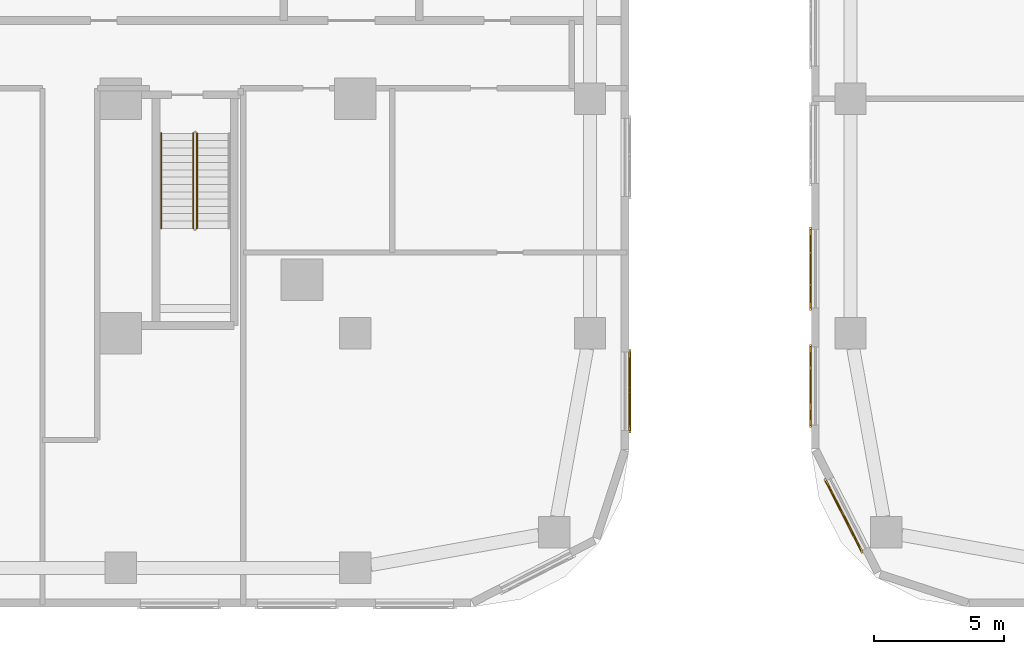
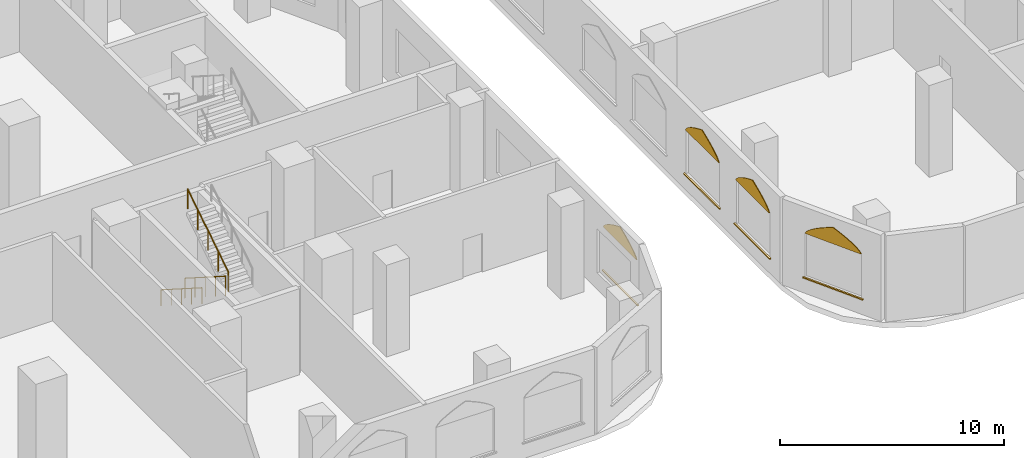
# One storey, part 27 of 31: 8 coverings, 3 railings.
"""IFC4 building model written with IfcOpenShell, lengths in metres."""

from ifc_helpers import new_model, si_unit, direction, frame, origin, origin_2d, place, context, subcontext, project, spatial, polyline, rectangle, circle, outline, extrude, material, layer, layer_set, type_object, element, save


model = new_model("IFC4")

# Units and contexts
model_context = context("Model", 3, precision=1e-05, world=origin(), true_north=direction((0.0, 1.0)))
body_context = subcontext(model_context, "Body", "Model", "MODEL_VIEW")
ifc_project = project(units=[si_unit("LENGTHUNIT", "METRE"), si_unit("AREAUNIT", "SQUARE_METRE"), si_unit("VOLUMEUNIT", "CUBIC_METRE"), si_unit("PLANEANGLEUNIT", "RADIAN"), si_unit("MASSUNIT", "GRAM", prefix="KILO")], contexts=[model_context])

# Site, building, storey
site_placement = place(None, origin())
site = spatial("IfcSite", under=ifc_project, at=site_placement, CompositionType="ELEMENT")
building_placement = place(site_placement, origin())
building = spatial("IfcBuilding", under=site, at=building_placement, Name="Ogive Portal Towers", CompositionType="ELEMENT")
storey_placement = place(building_placement, frame((0.0, 0.0, 13.5)))
storey = spatial("IfcBuildingStorey", under=building, at=storey_placement, Name="L02", CompositionType="ELEMENT", Elevation=13.5)

# Railings
ifc_material_1 = material(Name="Stainless steel balustrade", Category="steel")
railing_type_1 = type_object("IfcRailingType", Name="INT-GUARD", PredefinedType="GUARDRAIL", material=ifc_material_1)
railing_1_placement = place(storey_placement, frame((88.280029296875, 29.169921875, 0.178466796875)))
element("IfcRailing", 1, at=railing_1_placement, inside=storey, type_object=railing_type_1, Name="L02 ST-A4 stair guard 1", PredefinedType="GUARDRAIL", context=body_context, shape_type="SweptSolid", body=[
    extrude(circle(Radius=0.02392578125, at=origin_2d()), frame((0.0, 0.0, 1.076171875), z_axis=(0.0, -0.843111507901, 0.53773877045), x_axis=(1.0, 0.0, 0.0)), (0.0, 0.0, 1.0), 4.317138671875),
    extrude(circle(Radius=0.02099609375, at=origin_2d()), origin(), (0.0, 0.0, 1.0), 1.052001953125),
    extrude(circle(Radius=0.02099609375, at=origin_2d()), frame((0.0, -0.909912109375, 0.580322265625)), (0.0, 0.0, 1.0), 1.052001953125),
    extrude(circle(Radius=0.02099609375, at=origin_2d()), frame((0.0, -1.81982421875, 1.16064453125)), (0.0, 0.0, 1.0), 1.052001953125),
    extrude(circle(Radius=0.02099609375, at=origin_2d()), frame((0.0, -2.72998046875, 1.7412109375)), (0.0, 0.0, 1.0), 1.052001953125),
    extrude(circle(Radius=0.02099609375, at=origin_2d()), frame((0.0, -3.639892578125, 2.321533203125)), (0.0, 0.0, 1.0), 1.052001953125),
])
railing_2_placement = place(storey_placement, frame((88.419921875, 25.530029296875, 2.678466796875)))
element("IfcRailing", 2, at=railing_2_placement, inside=storey, type_object=railing_type_1, Name="L02 ST-A4 stair guard 3", PredefinedType="GUARDRAIL", context=body_context, shape_type="SweptSolid", body=[
    extrude(circle(Radius=0.02392578125, at=origin_2d()), frame((0.0, 0.0, 1.076171875), z_axis=(0.0, 0.843111507901, 0.53773877045), x_axis=(-1.0, 0.0, 0.0)), (0.0, 0.0, 1.0), 4.317138671875),
    extrude(circle(Radius=0.02099609375, at=origin_2d()), origin(), (0.0, 0.0, 1.0), 1.052001953125),
    extrude(circle(Radius=0.02099609375, at=origin_2d()), frame((0.0, 0.909912109375, 0.580322265625)), (0.0, 0.0, 1.0), 1.052001953125),
    extrude(circle(Radius=0.02099609375, at=origin_2d()), frame((0.0, 1.81982421875, 1.16064453125)), (0.0, 0.0, 1.0), 1.052001953125),
    extrude(circle(Radius=0.02099609375, at=origin_2d()), frame((0.0, 2.72998046875, 1.7412109375)), (0.0, 0.0, 1.0), 1.052001953125),
    extrude(circle(Radius=0.02099609375, at=origin_2d()), frame((0.0, 3.639892578125, 2.321533203125)), (0.0, 0.0, 1.0), 1.052001953125),
])
ifc_material_2 = material(Name="Stainless steel handrail", Category="steel")
railing_type_2 = type_object("IfcRailingType", Name="INT-HANDRAIL", PredefinedType="HANDRAIL", material=ifc_material_2)
railing_3_placement = place(storey_placement, frame((87.050048828125, 29.169921875, 0.178466796875)))
element("IfcRailing", 3, at=railing_3_placement, inside=storey, type_object=railing_type_2, Name="L02 ST-A4 stair handrail 1", PredefinedType="HANDRAIL", context=body_context, shape_type="SweptSolid", body=[
    extrude(circle(Radius=0.02392578125, at=origin_2d()), frame((0.0, 0.0, 0.8759765625), z_axis=(0.0, -0.843111507901, 0.53773877045), x_axis=(1.0, 0.0, 0.0)), (0.0, 0.0, 1.0), 4.317138671875),
    extrude(circle(Radius=0.02099609375, at=origin_2d()), origin(), (0.0, 0.0, 1.0), 0.851806640625),
    extrude(circle(Radius=0.02099609375, at=origin_2d()), frame((0.0, -0.909912109375, 0.580322265625)), (0.0, 0.0, 1.0), 0.851806640625),
    extrude(circle(Radius=0.02099609375, at=origin_2d()), frame((0.0, -1.81982421875, 1.16064453125)), (0.0, 0.0, 1.0), 0.851806640625),
    extrude(circle(Radius=0.02099609375, at=origin_2d()), frame((0.0, -2.72998046875, 1.7412109375)), (0.0, 0.0, 1.0), 0.851806640625),
    extrude(circle(Radius=0.02099609375, at=origin_2d()), frame((0.0, -3.639892578125, 2.321533203125)), (0.0, 0.0, 1.0), 0.851806640625),
])

# Coverings
ifc_material_3 = material(Name="Limestone cladding on lightweight block wall", Category="masonry")
ifc_layer_1 = layer(ifc_material_3, 0.0400390625)
ifc_layer_set_1 = layer_set([ifc_layer_1], Name="LANCET HEAD STONE")
covering_type_1 = type_object("IfcCoveringType", Name="LANCET HEAD STONE", PredefinedType="CLADDING", material=ifc_layer_set_1)
covering_1_placement = place(storey_placement, frame((105.0, 17.773681640625, 3.300048828125), z_axis=(-0.99995005646, 0.0, 0.009994227635), x_axis=(0.0, 1.0, 0.0)))
element("IfcCovering", 4, at=covering_1_placement, inside=storey, type_object=covering_type_1, Name="Lancet head", PredefinedType="CLADDING", context=body_context, shape_type="SweptSolid", body=[
    extrude(outline(polyline([(0.0, 0.0), (3.0, 0.0), (2.933837890625, -0.11255540702298532), (2.8125, -0.22486424561723664), (2.655517578125, -0.33741965264022195), (2.4697265625, -0.44997261966622615), (2.259033203125, -0.5625280266892115), (2.02587890625, -0.6750834337121968), (1.7724609375, -0.7873922723064481), (1.5, -0.8999476793294334), (1.227783203125, -0.7873922723064481), (0.974365234375, -0.6750834337121968), (0.7412109375, -0.5625280266892115), (0.530517578125, -0.44997261966622615), (0.344482421875, -0.33741965264022195), (0.1875, -0.22486424561723664), (0.06640625, -0.11255540702298532), (0.0, 0.0)])), origin(), (0.0, 0.0, -1.0), 0.0400390625),
])
covering_2_placement = place(storey_placement, frame((112.58837890625, 15.84521484375, 3.300048828125), z_axis=(0.890951213184, 0.453986518369, 0.010108257236), x_axis=(0.454009716366, -0.890996732567, -3.06364e-07)))
element("IfcCovering", 5, at=covering_2_placement, inside=storey, type_object=covering_type_1, Name="Lancet head", PredefinedType="CLADDING", context=body_context, shape_type="SweptSolid", body=[
    extrude(outline(polyline([(0.0, 0.0), (2.999890731384289, 0.0), (2.9337135819672038, -0.1125567277471324), (2.812400611987339, -0.22486506751868154), (2.6556000370748487, -0.3374203120598849), (2.469538433092914, -0.4499743995598753), (2.2588005222545657, -0.5625287879186986), (2.0255699014167377, -0.6750836458422428), (1.7721410097270687, -0.7873928150844063), (1.499929860246848, -0.8999490760785828), (1.2276287171759217, -0.7873937893609075), (0.9742165180292072, -0.6750829864833984), (0.741113432099835, -0.5625274171833613), (0.5303922139540335, -0.44997357711867286), (0.34434730266464575, -0.33741943619515136), (0.18734589194553927, -0.22486533182457222), (0.06626714300779069, -0.11255481996471935), (0.0, 0.0)])), origin(), (0.0, 0.0, -1.0), 0.0400390625),
])
for number, where, z_axis, x_axis, name in (
    (6, (112.0, 25.476318359375, 3.300048828125), (0.99995005646, 0.0, 0.009994227635), (0.0, -1.0, 0.0), "Lancet head"),
    (7, (112.0, 20.976318359375, 3.300048828125), (0.99995005646, 0.0, 0.009994227635), (0.0, -1.0, 0.0), "Lancet head"),
):
    element("IfcCovering", number, at=place(storey_placement, frame(where, z_axis=z_axis, x_axis=x_axis)), inside=storey, type_object=covering_type_1, Name=name, PredefinedType="CLADDING", context=body_context, shape_type="SweptSolid", body=[
        extrude(outline(polyline([(0.0, 0.0), (3.0, 0.0), (2.933837890625, -0.11255540702298532), (2.8125, -0.22486424561723664), (2.655517578125, -0.33741965264022195), (2.4697265625, -0.44997261966622615), (2.259033203125, -0.5625280266892115), (2.02587890625, -0.6750834337121968), (1.7724609375, -0.7873922723064481), (1.5, -0.8999476793294334), (1.227783203125, -0.7873922723064481), (0.974365234375, -0.6750834337121968), (0.7412109375, -0.5625280266892115), (0.530517578125, -0.44997261966622615), (0.344482421875, -0.33741965264022195), (0.1875, -0.22486424561723664), (0.06640625, -0.11255540702298532), (0.0, 0.0)])), origin(), (0.0, 0.0, -1.0), 0.0400390625),
    ])
ifc_layer_2 = layer(ifc_material_3, 0.080078125)
ifc_layer_set_2 = layer_set([ifc_layer_2], Name="STONE SILL 80")
covering_type_2 = type_object("IfcCoveringType", Name="STONE SILL 80", PredefinedType="CLADDING", material=ifc_layer_set_2)
for number, where, z_axis, x_axis, name in (
    (8, (105.0400390625, 19.273681640625, 0.840087890625), (0.0, 0.0, 1.0), (0.0, 1.0, 0.0), "Stone sill"),
    (9, (113.233642578125, 14.49072265625, 0.840087890625), (0.0, 0.0, 1.0), (0.45399049974, -0.891006524188, 0.0), "Stone sill"),
    (10, (111.9599609375, 23.976318359375, 0.840087890625), (0.0, 0.0, 1.0), (0.0, -1.0, 0.0), "Stone sill"),
    (11, (111.9599609375, 19.476318359375, 0.840087890625), (0.0, 0.0, 1.0), (0.0, -1.0, 0.0), "Stone sill"),
):
    element("IfcCovering", number, at=place(storey_placement, frame(where, z_axis=z_axis, x_axis=x_axis)), inside=storey, type_object=covering_type_2, Name=name, PredefinedType="CLADDING", context=body_context, shape_type="SweptSolid", body=[
        extrude(rectangle(XDim=3.199951171875, YDim=0.080078125, at=origin_2d()), origin(), (0.0, 0.0, 1.0), 0.06005859375),
    ])

save(model, "model.ifc")
